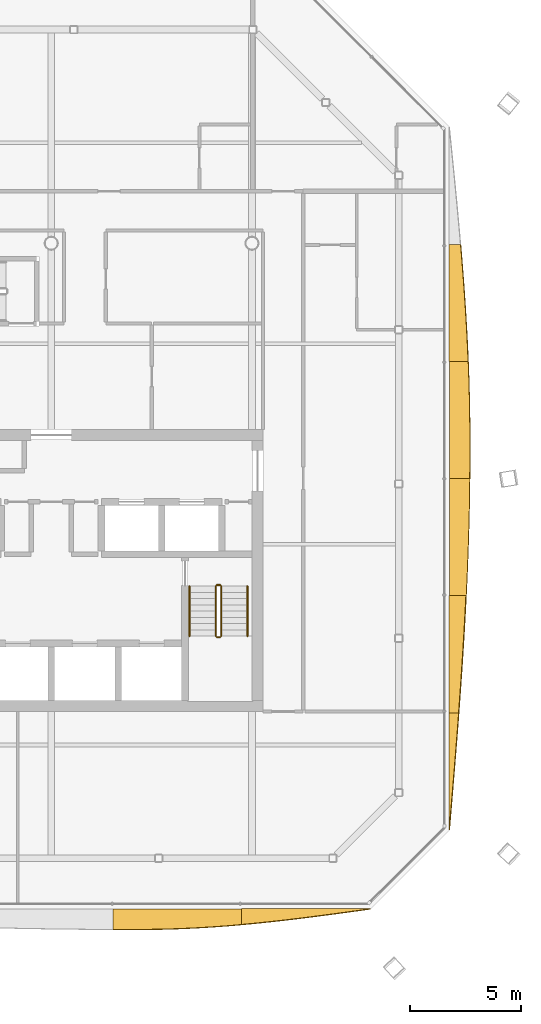
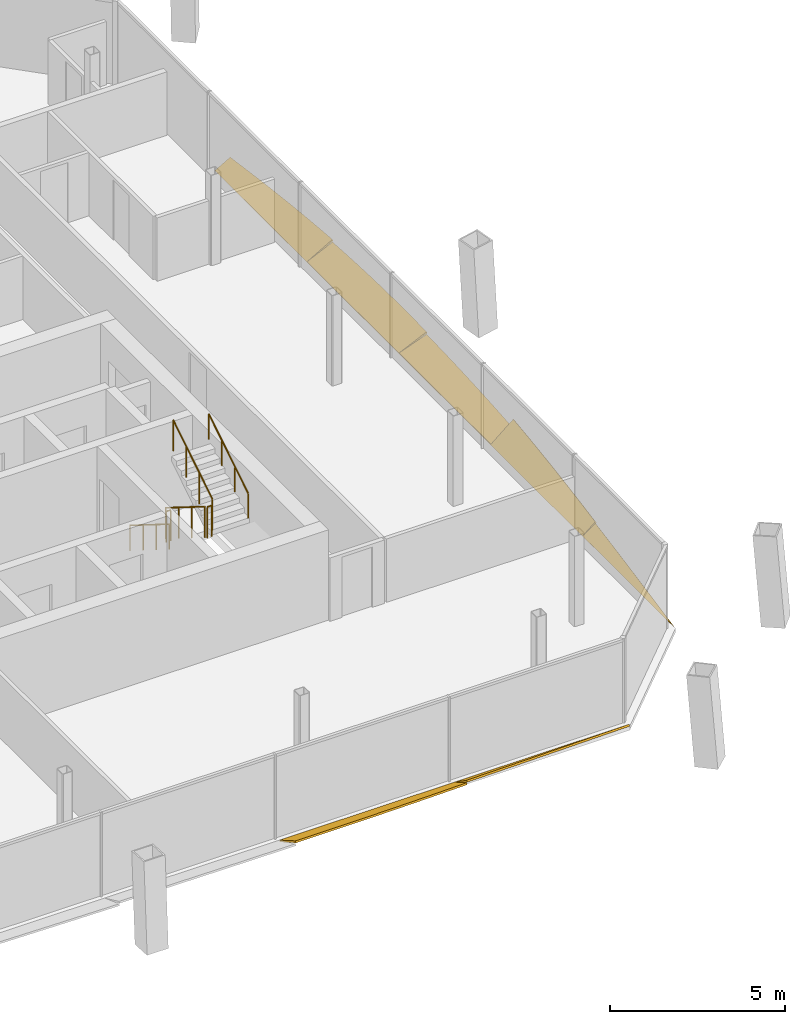
# One storey, part 19 of 20: 7 shading devices, 6 railings.
"""IFC4 building model written with IfcOpenShell, lengths in metres."""

from ifc_helpers import new_model, si_unit, direction, frame, origin, origin_2d, place, context, subcontext, project, spatial, polyline, circle, outline, extrude, material, layer, layer_set, type_object, element, save


model = new_model("IFC4")

# Units and contexts
model_context = context("Model", 3, precision=1e-05, world=origin(), true_north=direction((0.0, 1.0)))
body_context = subcontext(model_context, "Body", "Model", "MODEL_VIEW")
ifc_project = project(units=[si_unit("LENGTHUNIT", "METRE"), si_unit("AREAUNIT", "SQUARE_METRE"), si_unit("VOLUMEUNIT", "CUBIC_METRE"), si_unit("PLANEANGLEUNIT", "RADIAN"), si_unit("MASSUNIT", "GRAM", prefix="KILO")], contexts=[model_context])

# Site, building, storey
site_placement = place(None, origin())
site = spatial("IfcSite", under=ifc_project, at=site_placement, CompositionType="ELEMENT")
building_placement = place(site_placement, origin())
building = spatial("IfcBuilding", under=site, at=building_placement, Name="Tskaro Facet Tower", CompositionType="ELEMENT")
storey_placement = place(building_placement, frame((0.0, 0.0, 184.800048828125)))
storey = spatial("IfcBuildingStorey", under=building, at=storey_placement, Name="L46", CompositionType="ELEMENT", Elevation=184.800048828125)

# Shading devices
ifc_material_1 = material(Name="Bronze anodised aluminium 6063-T6", Category="aluminium")
ifc_layer = layer(ifc_material_1, 0.06005859375, Name="Bronze anodised aluminium 6063-T6")
ifc_layer_set = layer_set([ifc_layer], Name="Bronze anodised aluminium 6063-T6")
shading_device_type = type_object("IfcShadingDeviceType", Name="Bronze sun blade (FN1)", PredefinedType="USERDEFINED", material=ifc_layer_set)
shading_device_1_placement = place(storey_placement, frame((2.77099609375, -20.847900390625, 0.052001953125), z_axis=(9.145376e-06, 0.499890145459, 0.866088818996), x_axis=(0.999999999958, -4.571684e-06, -7.920708e-06)))
element("IfcShadingDevice", 1, at=shading_device_1_placement, inside=storey, type_object=shading_device_type, Name="Fin blade south 5", ObjectType="FIN", PredefinedType="USERDEFINED", context=body_context, shape_type="SweptSolid", body=[
    extrude(outline(polyline([(0.0, 0.0), (5.770996093508663, 0.0), (5.77099609375496, -0.8112600470742052), (5.049560547182648, -0.8811512379735066), (4.328369140547482, -0.9406559593026766), (3.6069335931186095, -0.9888957816798657), (2.885498047454791, -1.0257486616125249), (2.1640624990914907, -1.0503688092383188), (1.4428710936373657, -1.062723585037733), (1.0849609382978351, -1.0643584003088833), (0.7214355465719036, -1.0641469528432992), (-6.492964938817602e-10, -1.0616337081902996), (0.0, 0.0)])), origin(), (0.0, 0.0, -1.0), 0.06005859375),
])
shading_device_2_placement = place(storey_placement, frame((8.5419921875, -20.843505859375, 0.049072265625), z_axis=(5.823906e-06, 0.573511586395, 0.819197448871), x_axis=(0.999999999983, -3.340078e-06, -4.770929e-06)))
element("IfcShadingDevice", 2, at=shading_device_2_placement, inside=storey, type_object=shading_device_type, Name="Fin blade south 6", ObjectType="FIN", PredefinedType="USERDEFINED", context=body_context, shape_type="SweptSolid", body=[
    extrude(outline(polyline([(0.0, 0.0), (5.770996093652131, 2.4441119149410585e-21), (5.049560547181467, -0.12184474372697199), (4.32836913993744, -0.24206943875948023), (3.606933594047601, -0.3593739995802692), (2.8854980472244796, -0.47261841182634357), (2.164062500049942, -0.580242608703259), (1.4428710941969713, -0.6812265396480595), (0.7214355458524403, -0.7740901734434307), (-1.6566542589481514e-10, -0.8577334239492862), (0.0, 0.0)])), origin(), (0.0, 0.0, -1.0), 0.06005859375),
])
shading_device_3_placement = place(storey_placement, frame((17.843505859375, -17.31298828125, 0.049072265625), z_axis=(-0.573516713371, -2.3685941e-05, 0.819193859183), x_axis=(-1.3584283e-05, 0.999999999719, 1.9403378e-05)))
element("IfcShadingDevice", 3, at=shading_device_3_placement, inside=storey, type_object=shading_device_type, Name="Fin blade east 1", ObjectType="FIN", PredefinedType="USERDEFINED", context=body_context, shape_type="SweptSolid", body=[
    extrude(outline(polyline([(0.0, 0.0), (5.252929686026491, -8.898809029845472e-21), (5.252929689002953, -0.5174601717762054), (4.596191403768837, -0.456837797875851), (3.9396972648470476, -0.3945953767838286), (3.2829589843547695, -0.33113290550180463), (2.6264648435418656, -0.26645038402977894), (1.9697265611584742, -0.2005478123677516), (1.3132324212958122, -0.13410522497516827), (0.6564941393875413, -0.06732262035286213), (0.0, 0.0)])), origin(), (0.0, 0.0, -1.0), 0.06005859375),
])
shading_device_4_placement = place(storey_placement, frame((17.83935546875, -12.06005859375, 0.0458984375), z_axis=(-0.642759921606, 1.59477e-07, 0.766067675325), x_axis=(1.02506e-07, 1.0, -1.2217e-07)))
element("IfcShadingDevice", 4, at=shading_device_4_placement, inside=storey, type_object=shading_device_type, Name="Fin blade east 2", ObjectType="FIN", PredefinedType="USERDEFINED", context=body_context, shape_type="SweptSolid", body=[
    extrude(outline(polyline([(0.0, 0.0), (5.252685546874933, 6.951871437139996e-23), (5.252685546867605, -0.9825699609912318), (4.596191406264383, -0.9394318342256343), (3.9394531249994906, -0.8929810063366435), (3.2829589843777818, -0.8432475817563201), (2.626220703119429, -0.7903884842936499), (1.9697265624946578, -0.7349346942397106), (1.312988281258268, -0.6765422595444706), (0.6564941406208318, -0.6160560081169792), (-1.2824334396171739e-11, -0.5533190161482506), (0.0, 0.0)])), origin(), (0.0, 0.0, -1.0), 0.06005859375),
])
shading_device_5_placement = place(storey_placement, frame((17.857421875, -6.807373046875, 0.056396484375), z_axis=(-0.341945141288, 6.15512e-07, 0.939719915906), x_axis=(2.10471e-07, 1.0, -5.78409e-07)))
element("IfcShadingDevice", 5, at=shading_device_5_placement, inside=storey, type_object=shading_device_type, Name="Fin blade east 3", ObjectType="FIN", PredefinedType="USERDEFINED", context=body_context, shape_type="SweptSolid", body=[
    extrude(outline(polyline([(0.0, 0.0), (5.252929687499005, 0.0), (5.252929687486386, -0.9716649957958294), (4.596191406260879, -0.9617781333001159), (3.9396972656086087, -0.9488042543112337), (3.28295898431802, -0.9322010285134849), (2.626464843690497, -0.9121978797144635), (1.9699707031524238, -0.8890242317217639), (1.3132324219375882, -0.8627635672358958), (0.6567382812959897, -0.8334158862568588), (-2.2371668313754262e-11, -0.8009811887846534), (0.0, 0.0)])), origin(), (0.0, 0.0, -1.0), 0.06005859375),
])
shading_device_6_placement = place(storey_placement, frame((17.8525390625, -1.554443359375, 0.054443359375), z_axis=(-0.422494038119, 6.04186e-07, 0.906365703099), x_axis=(2.55265e-07, 1.0, -5.47613e-07)))
element("IfcShadingDevice", 6, at=shading_device_6_placement, inside=storey, type_object=shading_device_type, Name="Fin blade east 4", ObjectType="FIN", PredefinedType="USERDEFINED", context=body_context, shape_type="SweptSolid", body=[
    extrude(outline(polyline([(0.0, 0.0), (5.252685546874042, 1.3903742874279993e-22), (5.252685546924985, -0.9316844131999035), (4.596191406310829, -0.9588817168631305), (3.9394531250908362, -0.9809463558042021), (3.2829589843189897, -0.99776019729241), (2.6264648436999996, -1.009338226099937), (1.969726562475171, -1.0157835901853087), (1.5126953125194678, -1.0170962895485245), (1.3132324218321836, -1.0168750088592915), (0.6564941405652509, -1.0139251814851014), (4.901367350493055e-11, -1.0073766694412047), (0.0, 0.0)])), origin(), (0.0, 0.0, -1.0), 0.06005859375),
])
shading_device_7_placement = place(storey_placement, frame((17.847900390625, 3.6982421875, 0.052001953125), z_axis=(-0.49987196071, 1.5014943e-05, 0.866099314554), x_axis=(7.505549e-06, 0.999999999887, -1.3004432e-05)))
element("IfcShadingDevice", 7, at=shading_device_7_placement, inside=storey, type_object=shading_device_type, Name="Fin blade east 5", ObjectType="FIN", PredefinedType="USERDEFINED", context=body_context, shape_type="SweptSolid", body=[
    extrude(outline(polyline([(0.0, 0.0), (5.252929686907867, -4.449404514922736e-21), (5.252929686830375, -0.5826597979928407), (4.596435545343275, -0.6455561920617173), (3.939697266641569, -0.7049388733713295), (3.283203123792974, -0.760840469999529), (2.626464843239866, -0.8126834147595603), (1.9699707043997796, -0.8602562576234325), (1.3132324210154513, -0.9034695876160761), (0.6567382820291464, -0.9417458375507353), (-1.991309387971441e-09, -0.9751176355052622), (0.0, 0.0)])), origin(), (0.0, 0.0, -1.0), 0.06005859375),
])

# Railings
ifc_material_2 = material(Name="Stainless steel", Category="steel")
railing_type_1 = type_object("IfcRailingType", Name="RL-GUARD-1100", PredefinedType="GUARDRAIL", material=ifc_material_2)
railing_1_placement = place(storey_placement, frame((7.375, -6.375, 0.175048828125)))
element("IfcRailing", 8, at=railing_1_placement, inside=storey, type_object=railing_type_1, Name="L46 ST-2 stair guard 1", PredefinedType="GUARDRAIL", context=body_context, shape_type="SweptSolid", body=[
    extrude(circle(Radius=0.02392578125, at=origin_2d()), frame((0.0, 0.0, 1.076171875), z_axis=(0.0, -0.848013881152, 0.529974015752), x_axis=(1.0, 0.0, 0.0)), (0.0, 0.0, 1.0), 2.641357421875),
    extrude(circle(Radius=0.02099609375, at=origin_2d()), origin(), (0.0, 0.0, 1.0), 1.052001953125),
    extrude(circle(Radius=0.02099609375, at=origin_2d()), frame((0.0, -0.74658203125, 0.466552734375)), (0.0, 0.0, 1.0), 1.052001953125),
    extrude(circle(Radius=0.02099609375, at=origin_2d()), frame((0.0, -1.493408203125, 0.933349609375)), (0.0, 0.0, 1.0), 1.052001953125),
    extrude(circle(Radius=0.02099609375, at=origin_2d()), frame((0.0, -2.239990234375, 1.39990234375)), (0.0, 0.0, 1.0), 1.052001953125),
])
railing_2_placement = place(storey_placement, frame((7.425048828125, -8.6650390625, 1.574951171875)))
element("IfcRailing", 9, at=railing_2_placement, inside=storey, type_object=railing_type_1, Name="L46 ST-2 stair guard 2", PredefinedType="GUARDRAIL", context=body_context, shape_type="SweptSolid", body=[
    extrude(circle(Radius=0.02392578125, at=origin_2d()), frame((0.0, 0.0, 1.076171875), z_axis=(1.0, 0.0, 0.0), x_axis=(0.0, 1.0, 0.0)), (0.0, 0.0, 1.0), 0.14990234375),
    extrude(circle(Radius=0.02099609375, at=origin_2d()), origin(), (0.0, 0.0, 1.0), 1.052001953125),
    extrude(circle(Radius=0.02099609375, at=origin_2d()), frame((0.14990234375, 0.0, 0.0)), (0.0, 0.0, 1.0), 1.052001953125),
])
railing_3_placement = place(storey_placement, frame((7.625, -8.614990234375, 1.75)))
element("IfcRailing", 10, at=railing_3_placement, inside=storey, type_object=railing_type_1, Name="L46 ST-2 stair guard 3", PredefinedType="GUARDRAIL", context=body_context, shape_type="SweptSolid", body=[
    extrude(circle(Radius=0.02392578125, at=origin_2d()), frame((0.0, 0.0, 1.076171875), z_axis=(0.0, 0.848013881152, 0.529974015752), x_axis=(-1.0, 0.0, 0.0)), (0.0, 0.0, 1.0), 2.641357421875),
    extrude(circle(Radius=0.02099609375, at=origin_2d()), origin(), (0.0, 0.0, 1.0), 1.052001953125),
    extrude(circle(Radius=0.02099609375, at=origin_2d()), frame((0.0, 0.74658203125, 0.466552734375)), (0.0, 0.0, 1.0), 1.052001953125),
    extrude(circle(Radius=0.02099609375, at=origin_2d()), frame((0.0, 1.493408203125, 0.933349609375)), (0.0, 0.0, 1.0), 1.052001953125),
    extrude(circle(Radius=0.02099609375, at=origin_2d()), frame((0.0, 2.239990234375, 1.39990234375)), (0.0, 0.0, 1.0), 1.052001953125),
])
railing_4_placement = place(storey_placement, frame((7.425048828125, -6.324951171875, 0.0)))
element("IfcRailing", 11, at=railing_4_placement, inside=storey, type_object=railing_type_1, Name="L46 ST-2 stair guard 4", PredefinedType="GUARDRAIL", context=body_context, shape_type="SweptSolid", body=[
    extrude(circle(Radius=0.02392578125, at=origin_2d()), frame((0.0, 0.0, 1.076171875), z_axis=(1.0, 0.0, 0.0), x_axis=(0.0, 1.0, 0.0)), (0.0, 0.0, 1.0), 0.14990234375),
    extrude(circle(Radius=0.02099609375, at=origin_2d()), origin(), (0.0, 0.0, 1.0), 1.052001953125),
    extrude(circle(Radius=0.02099609375, at=origin_2d()), frame((0.14990234375, 0.0, 0.0)), (0.0, 0.0, 1.0), 1.052001953125),
])
railing_type_2 = type_object("IfcRailingType", Name="RL-HANDRAIL-900", PredefinedType="HANDRAIL", material=ifc_material_2)
railing_5_placement = place(storey_placement, frame((6.199951171875, -6.375, 0.175048828125)))
element("IfcRailing", 12, at=railing_5_placement, inside=storey, type_object=railing_type_2, Name="L46 ST-2 stair handrail 1", PredefinedType="HANDRAIL", context=body_context, shape_type="SweptSolid", body=[
    extrude(circle(Radius=0.02392578125, at=origin_2d()), frame((0.0, 0.0, 0.8759765625), z_axis=(0.0, -0.848013881152, 0.529974015752), x_axis=(1.0, 0.0, 0.0)), (0.0, 0.0, 1.0), 2.641357421875),
    extrude(circle(Radius=0.02099609375, at=origin_2d()), origin(), (0.0, 0.0, 1.0), 0.851806640625),
    extrude(circle(Radius=0.02099609375, at=origin_2d()), frame((0.0, -0.74658203125, 0.466552734375)), (0.0, 0.0, 1.0), 0.851806640625),
    extrude(circle(Radius=0.02099609375, at=origin_2d()), frame((0.0, -1.493408203125, 0.933349609375)), (0.0, 0.0, 1.0), 0.851806640625),
    extrude(circle(Radius=0.02099609375, at=origin_2d()), frame((0.0, -2.239990234375, 1.39990234375)), (0.0, 0.0, 1.0), 0.851806640625),
])
railing_6_placement = place(storey_placement, frame((8.800048828125, -8.614990234375, 1.75)))
element("IfcRailing", 13, at=railing_6_placement, inside=storey, type_object=railing_type_2, Name="L46 ST-2 stair handrail 2", PredefinedType="HANDRAIL", context=body_context, shape_type="SweptSolid", body=[
    extrude(circle(Radius=0.02392578125, at=origin_2d()), frame((0.0, 0.0, 0.8759765625), z_axis=(0.0, 0.848013881152, 0.529974015752), x_axis=(-1.0, 0.0, 0.0)), (0.0, 0.0, 1.0), 2.641357421875),
    extrude(circle(Radius=0.02099609375, at=origin_2d()), origin(), (0.0, 0.0, 1.0), 0.851806640625),
    extrude(circle(Radius=0.02099609375, at=origin_2d()), frame((0.0, 0.74658203125, 0.466552734375)), (0.0, 0.0, 1.0), 0.851806640625),
    extrude(circle(Radius=0.02099609375, at=origin_2d()), frame((0.0, 1.493408203125, 0.933349609375)), (0.0, 0.0, 1.0), 0.851806640625),
    extrude(circle(Radius=0.02099609375, at=origin_2d()), frame((0.0, 2.239990234375, 1.39990234375)), (0.0, 0.0, 1.0), 0.851806640625),
])

save(model, "model.ifc")
